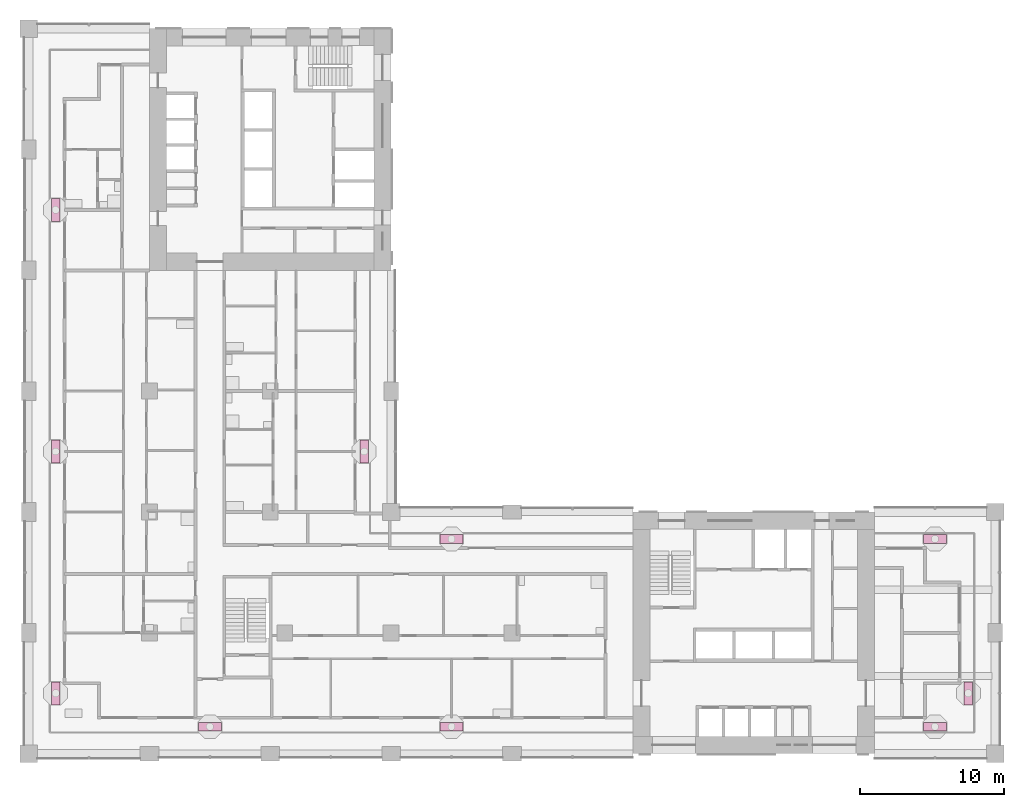
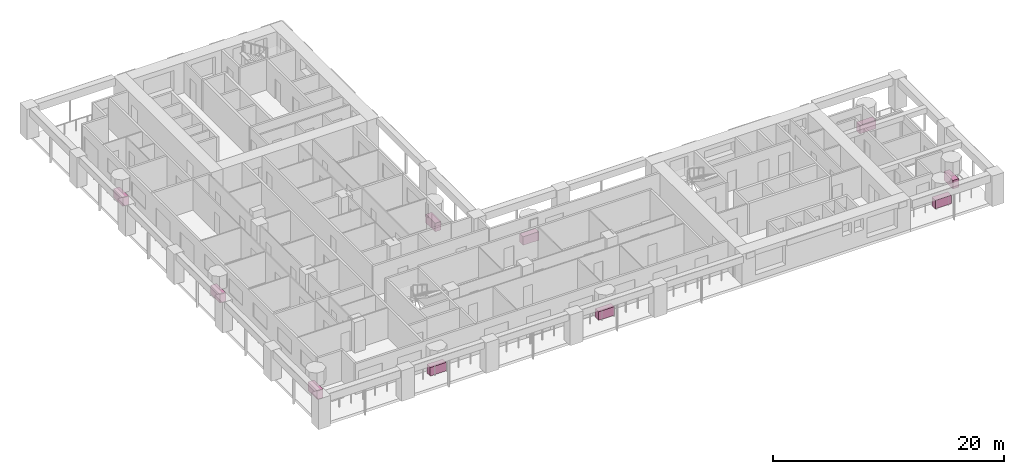
# One storey, part 17 of 18: 10 furniture elements.
"""IFC4 building model written with IfcOpenShell, lengths in metres."""

from ifc_helpers import new_model, si_unit, direction, frame, origin, origin_2d, place, context, subcontext, project, spatial, rectangle, extrude, material, element, save


model = new_model("IFC4")

# Units and contexts
model_context = context("Model", 3, precision=1e-05, world=origin(), true_north=direction((0.0, 1.0)))
body_context = subcontext(model_context, "Body", "Model", "MODEL_VIEW")
ifc_project = project(units=[si_unit("LENGTHUNIT", "METRE"), si_unit("AREAUNIT", "SQUARE_METRE"), si_unit("VOLUMEUNIT", "CUBIC_METRE"), si_unit("PLANEANGLEUNIT", "RADIAN"), si_unit("MASSUNIT", "GRAM", prefix="KILO")], contexts=[model_context])

# Site, building, storey
site_placement = place(None, origin())
site = spatial("IfcSite", under=ifc_project, at=site_placement, CompositionType="ELEMENT")
building_placement = place(site_placement, origin())
building = spatial("IfcBuilding", under=site, at=building_placement, Name="Vermilion Gate Residences", CompositionType="ELEMENT")
storey_placement = place(building_placement, frame((0.0, 0.0, 81.199951171875)))
storey = spatial("IfcBuildingStorey", under=building, at=storey_placement, Name="L19", CompositionType="ELEMENT", Elevation=81.199951171875)

# Furniture
ifc_material = material(Name="Terracotta planter", Category="masonry")
for number, where, z_axis, x_axis, name in (
    (1, (12.60009765625, 10.27490234375, 0.0), (0.0, 0.0, 1.0), (1.0, 0.0, 0.0), "PLANTER"),
    (2, (29.39990234375, 10.27490234375, 0.0), (0.0, 0.0, 1.0), (1.0, 0.0, 0.0), "PLANTER"),
    (3, (63.0, 10.27490234375, 0.0), (0.0, 0.0, 1.0), (1.0, 0.0, 0.0), "PLANTER"),
    (4, (65.324951171875, 12.60009765625, 0.0), (0.0, 0.0, 1.0), (0.0, 1.0, 0.0), "PLANTER"),
    (5, (29.39990234375, 23.324951171875, 0.0), (0.0, 0.0, 1.0), (-1.0, 0.0, 0.0), "PLANTER"),
    (6, (63.0, 23.324951171875, 0.0), (0.0, 0.0, 1.0), (-1.0, 0.0, 0.0), "PLANTER"),
    (7, (23.324951171875, 29.39990234375, 0.0), (0.0, 0.0, 1.0), (0.0, 1.0, 0.0), "PLANTER"),
    (8, (1.875, 12.60009765625, 0.0), (0.0, 0.0, 1.0), (0.0, -1.0, 0.0), "PLANTER"),
    (9, (1.875, 29.39990234375, 0.0), (0.0, 0.0, 1.0), (0.0, -1.0, 0.0), "PLANTER"),
    (10, (1.875, 46.199951171875, 0.0), (0.0, 0.0, 1.0), (0.0, -1.0, 0.0), "PLANTER"),
):
    element("IfcFurniture", number, at=place(storey_placement, frame(where, z_axis=z_axis, x_axis=x_axis)), inside=storey, material=ifc_material, Name=name, ObjectType="PLANTER", PredefinedType="USERDEFINED", context=body_context, shape_type="SweptSolid", body=[
        extrude(rectangle(XDim=1.60009765625, YDim=0.60009765625, at=origin_2d()), origin(), (0.0, 0.0, 1.0), 0.89990234375),
    ])

save(model, "model.ifc")
